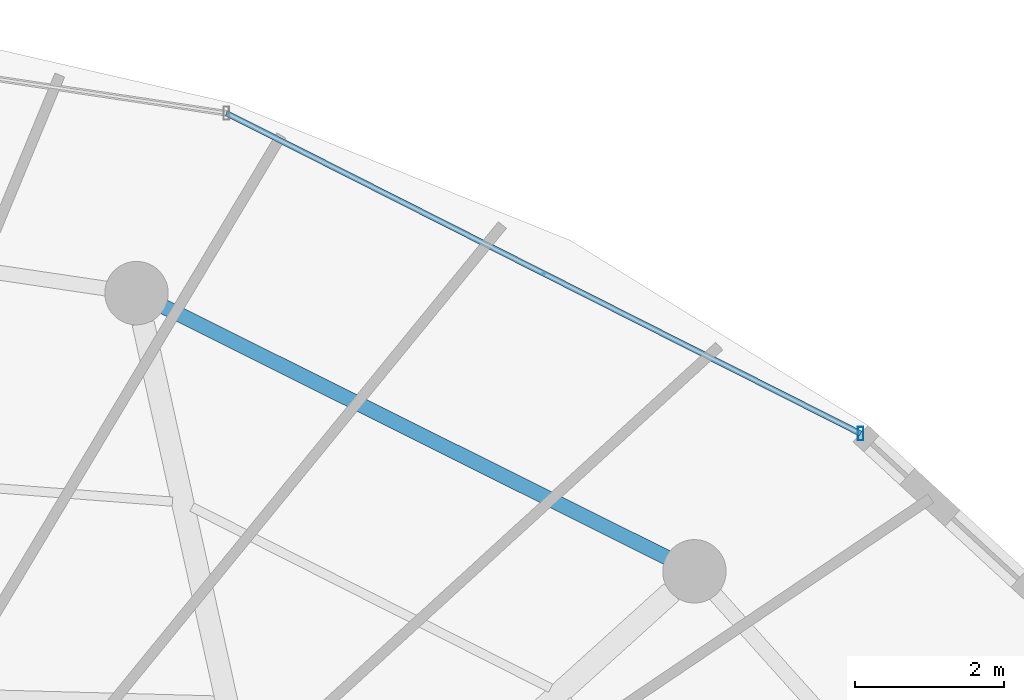
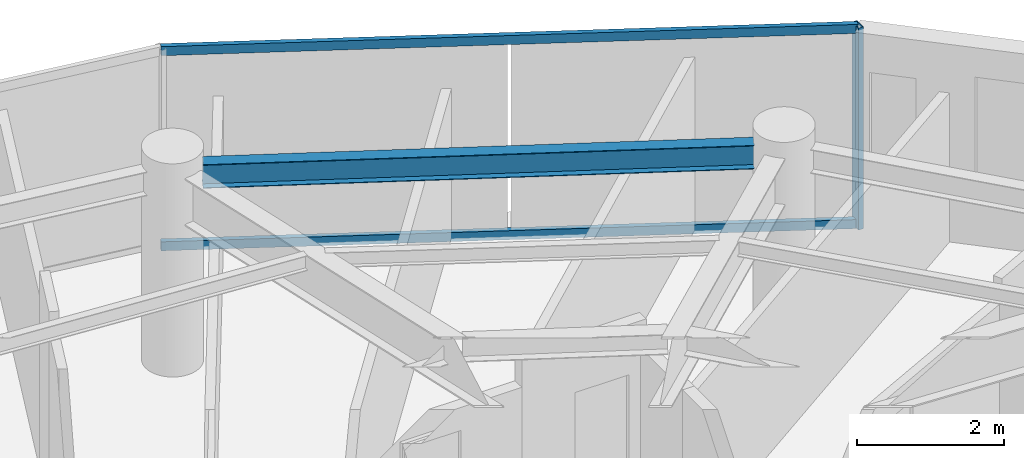
# One storey, part 18 of 29: 3 members, 1 beam, 1 element without a shape of its own.
"""IFC4 building model written with IfcOpenShell, lengths in metres."""

import ifcopenshell
import ifcopenshell.guid

model = None  # the IFC model being written
_history = None  # IfcOwnerHistory: only IFC2X3 demands one
_inside = {}  # id of a spatial element -> (the spatial element, [elements in it])
_under = {}  # id of a project, library or spatial element -> (it, [spatial elements below it])
_declared = {}  # id of a project -> (the project, [libraries it declares])
_typed = {}  # id of a type object -> (the type object, [elements of that type])
_made_of = {}  # id of a material, layer set ... -> (it, [elements and type objects made of it])


def new_model(schema):
    """Start an empty IFC model of exactly this schema.

    Asked for "IFC4X3", IfcOpenShell would pick the latest addendum, in which some entities
    have other attributes; the version numbers below select the first issue.
    IFC2X3 requires an IfcOwnerHistory on every rooted entity: one is made here for all.
    """
    global model, _history
    if schema == "IFC4X3":
        model = ifcopenshell.file(schema_version=(4, 3, 0, 0))
    else:
        model = ifcopenshell.file(schema=schema)
    _inside.clear()
    _under.clear()
    _declared.clear()
    _typed.clear()
    _made_of.clear()
    _history = None
    if model.schema == "IFC2X3":
        org = make("IfcOrganization", Name="unknown")
        user = make(
            "IfcPersonAndOrganization",
            ThePerson=make("IfcPerson", FamilyName="unknown"),
            TheOrganization=org,
        )
        app = make(
            "IfcApplication",
            ApplicationDeveloper=org,
            Version="unknown",
            ApplicationFullName="unknown",
            ApplicationIdentifier="unknown",
        )
        _history = make(
            "IfcOwnerHistory",
            OwningUser=user,
            OwningApplication=app,
            ChangeAction="ADDED",
            CreationDate=0,
        )
    return model


def make(cls, **values):
    """One entity of the class cls with the attributes given. An attribute that is None is left unset."""
    return model.create_entity(
        cls, **{name: value for name, value in values.items() if value is not None}
    )


def rooted(cls, **values):
    """An entity with a GlobalId (a new one), such as an element, a storey or a relation."""
    return make(cls, GlobalId=ifcopenshell.guid.new(), OwnerHistory=_history, **values)


def si_unit(unit_type, name, prefix=None):
    """IfcSIUnit, for example si_unit("LENGTHUNIT", "METRE", prefix="MILLI")."""
    return make("IfcSIUnit", UnitType=unit_type, Prefix=prefix, Name=name)


def assignment(units):
    """IfcUnitAssignment: the units of a project."""
    return None if units is None else make("IfcUnitAssignment", Units=units)


def point(xyz):
    """IfcCartesianPoint."""
    return None if xyz is None else make("IfcCartesianPoint", Coordinates=xyz)


def direction(xyz):
    """IfcDirection."""
    return None if xyz is None else make("IfcDirection", DirectionRatios=xyz)


def frame(location, z_axis=None, x_axis=None):
    """IfcAxis2Placement3D, a coordinate frame: its origin and axes. An axis left out is left unset."""
    return make(
        "IfcAxis2Placement3D",
        Location=point(location),
        Axis=direction(z_axis),
        RefDirection=direction(x_axis),
    )


def frame_2d(location, x_axis=None):
    """IfcAxis2Placement2D, a coordinate frame in the plane: its origin and x axis."""
    return make(
        "IfcAxis2Placement2D", Location=point(location), RefDirection=direction(x_axis)
    )


def origin():
    """The frame at (0, 0, 0) with its axes left unset."""
    return frame((0.0, 0.0, 0.0))


def origin_2d():
    """The frame at (0, 0) in the plane with its x axis left unset."""
    return frame_2d((0.0, 0.0))


def place(relative_to, where):
    """IfcLocalPlacement: puts the frame where relative to a parent placement (None: the world)."""
    return make(
        "IfcLocalPlacement", PlacementRelTo=relative_to, RelativePlacement=where
    )


def context(
    kind, dimensions, precision=None, world=None, true_north=None, identifier=None
):
    """IfcGeometricRepresentationContext, for example the 3D "Model" context."""
    return make(
        "IfcGeometricRepresentationContext",
        ContextIdentifier=identifier,
        ContextType=kind,
        CoordinateSpaceDimension=dimensions,
        Precision=precision,
        WorldCoordinateSystem=world,
        TrueNorth=true_north,
    )


def subcontext(parent, identifier, kind, view, scale=None):
    """IfcGeometricRepresentationSubContext, for example "Body" below "Model"."""
    return make(
        "IfcGeometricRepresentationSubContext",
        ContextIdentifier=identifier,
        ContextType=kind,
        ParentContext=parent,
        TargetScale=scale,
        TargetView=view,
    )


def project(units=None, contexts=None):
    """IfcProject with its units and contexts."""
    return rooted(
        "IfcProject",
        Name="project",
        RepresentationContexts=contexts,
        UnitsInContext=assignment(units),
    )


def spatial(cls, under=None, at=None, **own):
    """A site, building, storey or space (cls), placed at a placement, below another one or the project."""
    s = rooted(cls, ObjectPlacement=at, **own)
    if under is not None:
        _under.setdefault(under.id(), (under, []))[1].append(s)
    return s


def profile(cls, at=None, kind="AREA", **sizes):
    """A parametric profile (cls). Its sizes go by their IFC names, for example OverallWidth=200.0."""
    return make(cls, ProfileType=kind, Position=at, **sizes)


def hollow_rectangle(**sizes):
    """IfcRectangleHollowProfileDef."""
    return profile("IfcRectangleHollowProfileDef", **sizes)


def i_section(**sizes):
    """IfcIShapeProfileDef."""
    return profile("IfcIShapeProfileDef", **sizes)


def extrude(swept, where, along, depth):
    """IfcExtrudedAreaSolid: the profile swept, set in the frame where, extruded along a direction by depth."""
    return make(
        "IfcExtrudedAreaSolid",
        SweptArea=swept,
        Position=where,
        ExtrudedDirection=direction(along),
        Depth=depth,
    )


def shape(context_of_items, identifier, shape_type, items):
    """IfcShapeRepresentation: the items that make up one representation, for example the "Body"."""
    return make(
        "IfcShapeRepresentation",
        ContextOfItems=context_of_items,
        RepresentationIdentifier=identifier,
        RepresentationType=shape_type,
        Items=items,
    )


def material(Name=None, Category=None):
    """IfcMaterial."""
    return make("IfcMaterial", Name=Name, Category=Category)


def material_profile(
    of_material, cross_section, Name=None, Category=None, Priority=None
):
    """IfcMaterialProfile: a cross section and its material."""
    return make(
        "IfcMaterialProfile",
        Name=Name,
        Material=of_material,
        Profile=cross_section,
        Priority=Priority,
        Category=Category,
    )


def profile_set(profiles, Name=None, composite=None):
    """IfcMaterialProfileSet."""
    return make(
        "IfcMaterialProfileSet",
        Name=Name,
        MaterialProfiles=profiles,
        CompositeProfile=composite,
    )


def made_of(thing, what):
    """Note that an element or type object is made of a material, layer set ...; save() writes the relation."""
    if what is not None:
        _made_of.setdefault(what.id(), (what, []))[1].append(thing)
    return thing


def type_object(cls, material=None, **own):
    """A type object (cls), such as IfcWallType, which elements share."""
    return made_of(rooted(cls, **own), material)


def element(
    cls,
    number,
    at=None,
    inside=None,
    cuts=None,
    type_object=None,
    material=None,
    context=None,
    identifier="Body",
    shape_type=None,
    held_by="IfcProductDefinitionShape",
    body=None,
    shapes=None,
    **own,
):
    """One element of the class cls, such as IfcWall. Its Tag is "e" and its number.

    at: its placement. inside: the storey or other place that contains it. cuts: it is an
    opening in that element (IfcRelVoidsElement). A single representation is given by context,
    identifier, shape_type and body (its items); several are given by shapes. held_by: the class
    of the entity that holds the representations. save() writes the other relations.
    """
    e = rooted(cls, Tag="e%d" % number, ObjectPlacement=at, **own)
    if body is not None:
        shapes = [shape(context, identifier, shape_type, body)]
    if shapes is not None:
        e.Representation = make(held_by, Representations=shapes)
    if inside is not None:
        _inside.setdefault(inside.id(), (inside, []))[1].append(e)
    if cuts is not None:
        rooted(
            "IfcRelVoidsElement", RelatingBuildingElement=cuts, RelatedOpeningElement=e
        )
    if type_object is not None:
        _typed.setdefault(type_object.id(), (type_object, []))[1].append(e)
    return made_of(e, material)


def aggregate(whole, parts):
    """IfcRelAggregates: a whole, such as a stair, and the parts it consists of."""
    return rooted("IfcRelAggregates", RelatingObject=whole, RelatedObjects=parts)


def save(model, path):
    """Write the relations noted so far, then the file.

    IfcRelAggregates (storeys below a building ...), IfcRelContainedInSpatialStructure (elements
    in a storey), IfcRelDefinesByType, IfcRelAssociatesMaterial and IfcRelDeclares: one each for
    every whole, place, type object, material and project.
    """
    for whole, parts in _under.values():
        aggregate(whole, parts)
    for where, things in _inside.values():
        rooted(
            "IfcRelContainedInSpatialStructure",
            RelatedElements=things,
            RelatingStructure=where,
        )
    for kind, things in _typed.values():
        rooted("IfcRelDefinesByType", RelatedObjects=things, RelatingType=kind)
    for what, things in _made_of.values():
        rooted("IfcRelAssociatesMaterial", RelatedObjects=things, RelatingMaterial=what)
    for by, libraries in _declared.values():
        rooted("IfcRelDeclares", RelatingContext=by, RelatedDefinitions=libraries)
    model.write(path)


model = new_model("IFC4")

# Units and contexts
model_context = context("Model", 3, precision=1e-05, world=origin(), true_north=direction((0.0, 1.0)))
body_context = subcontext(model_context, "Body", "Model", "MODEL_VIEW")
ifc_project = project(units=[si_unit("LENGTHUNIT", "METRE"), si_unit("AREAUNIT", "SQUARE_METRE"), si_unit("VOLUMEUNIT", "CUBIC_METRE"), si_unit("PLANEANGLEUNIT", "RADIAN"), si_unit("MASSUNIT", "GRAM", prefix="KILO")], contexts=[model_context])

# Site, building, storey
site_placement = place(None, origin())
site = spatial("IfcSite", under=ifc_project, at=site_placement, CompositionType="ELEMENT")
building_placement = place(site_placement, origin())
building = spatial("IfcBuilding", under=site, at=building_placement, Name="Vorneva Point Tower", CompositionType="ELEMENT")
storey_placement = place(building_placement, frame((0.0, 0.0, 259.10009765625)))
storey = spatial("IfcBuildingStorey", under=building, at=storey_placement, Name="L70", CompositionType="ELEMENT", Elevation=259.10009765625)

# Beam
ifc_material_1 = material(Name="Steel S355", Category="steel")
ifc_material_profile_1 = material_profile(ifc_material_1, i_section(OverallWidth=0.198974609375, OverallDepth=0.39599609375, WebThickness=0.007080078125, FlangeThickness=0.010986328125, at=origin_2d()), Name="40B1")
ifc_profile_set_1 = profile_set([ifc_material_profile_1], Name="Steel S355")
beam_type = type_object("IfcBeamType", Name="BM-SPN-40B1", PredefinedType="SPANDREL", material=ifc_profile_set_1)
beam_placement = place(storey_placement, frame((53.931884765625, 38.34521484375, 3.091796875), z_axis=(-0.894932011528, 0.446202526599, 0.0), x_axis=(-0.446202526599, -0.894932011528, 0.0)))
element("IfcBeam", 1, at=beam_placement, inside=storey, type_object=beam_type, Name="L70 Perimeter Spandrel Ring Beam 03", PredefinedType="SPANDREL", context=body_context, shape_type="SweptSolid", body=[
    extrude(i_section(OverallWidth=0.198974609375, OverallDepth=0.39599609375, WebThickness=0.007080078125, FlangeThickness=0.010986328125, at=origin_2d()), origin(), (0.0, 0.0, 1.0), 7.535888671875),
])

# Curtain wall, members
ifc_material_2 = material(Name="Pale anodised aluminium", Category="aluminium")
curtain_wall_type = type_object("IfcCurtainWallType", Name="CW-RES-SYS", PredefinedType="NOTDEFINED", material=ifc_material_2)
curtain_wall_placement = place(storey_placement, origin())
curtain_wall = element("IfcCurtainWall", 2, at=curtain_wall_placement, inside=storey, type_object=curtain_wall_type, Name="L70 Unitised Curtain Wall CW-L70-R02", PredefinedType="NOTDEFINED")
ifc_material_profile_2 = material_profile(ifc_material_2, hollow_rectangle(XDim=0.074951171875, YDim=0.179931640625, WallThickness=0.00390625, at=origin_2d()), Name="AL-MUL 180x75x4")
ifc_profile_set_2 = profile_set([ifc_material_profile_2], Name="Pale anodised aluminium")
member_type_1 = type_object("IfcMemberType", Name="CW-MUL-180", PredefinedType="MULLION", material=ifc_profile_set_2)
member_1_placement = place(storey_placement, frame((56.526123046875, 40.0078125, -0.0400390625), z_axis=(0.0, 0.0, 1.0), x_axis=(1.0, 0.0, 0.0)))
member_1 = element("IfcMember", 3, at=member_1_placement, type_object=member_type_1, Name="CW-L70-R02 Mullion 01", PredefinedType="MULLION", context=body_context, shape_type="SweptSolid", body=[
    extrude(hollow_rectangle(XDim=0.074951171875, YDim=0.179931640625, WallThickness=0.00390625, at=origin_2d()), origin(), (0.0, 0.0, 1.0), 3.35986328125),
])
ifc_material_profile_3 = material_profile(ifc_material_2, hollow_rectangle(XDim=0.074951171875, YDim=0.14990234375, WallThickness=0.00390625, at=origin_2d()), Name="AL-TRN 150x75x4")
ifc_profile_set_3 = profile_set([ifc_material_profile_3], Name="Pale anodised aluminium")
member_type_2 = type_object("IfcMemberType", Name="CW-TRN-150", PredefinedType="USERDEFINED", material=ifc_profile_set_3)
member_2_placement = place(storey_placement, frame((56.526123046875, 40.0078125, 0.02001953125), z_axis=(-0.892558185815, 0.450932239848, 0.0), x_axis=(-0.450932239848, -0.892558185815, 0.0)))
member_2 = element("IfcMember", 4, at=member_2_placement, type_object=member_type_2, Name="CW-L70-R02 Transom 01.1", ObjectType="TRANSOM", PredefinedType="USERDEFINED", context=body_context, shape_type="SweptSolid", body=[
    extrude(hollow_rectangle(XDim=0.074951171875, YDim=0.14990234375, WallThickness=0.00390625, at=origin_2d()), origin(), (0.0, 0.0, 1.0), 9.52294921875),
])
member_3_placement = place(storey_placement, frame((56.526123046875, 40.0078125, 3.27001953125), z_axis=(-0.892558185815, 0.450932239848, 0.0), x_axis=(-0.450932239848, -0.892558185815, 0.0)))
member_3 = element("IfcMember", 5, at=member_3_placement, type_object=member_type_2, Name="CW-L70-R02 Transom 01.2", ObjectType="TRANSOM", PredefinedType="USERDEFINED", context=body_context, shape_type="SweptSolid", body=[
    extrude(hollow_rectangle(XDim=0.074951171875, YDim=0.14990234375, WallThickness=0.00390625, at=origin_2d()), origin(), (0.0, 0.0, 1.0), 9.52294921875),
])
aggregate(curtain_wall, [member_1, member_2, member_3])

save(model, "model.ifc")
